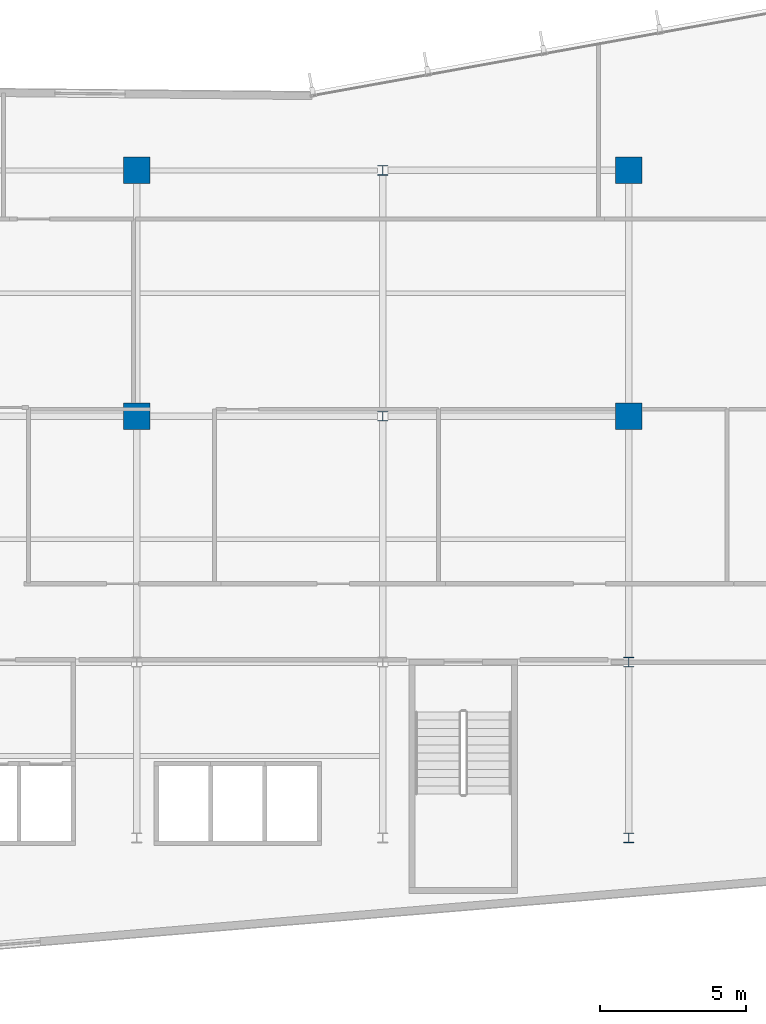
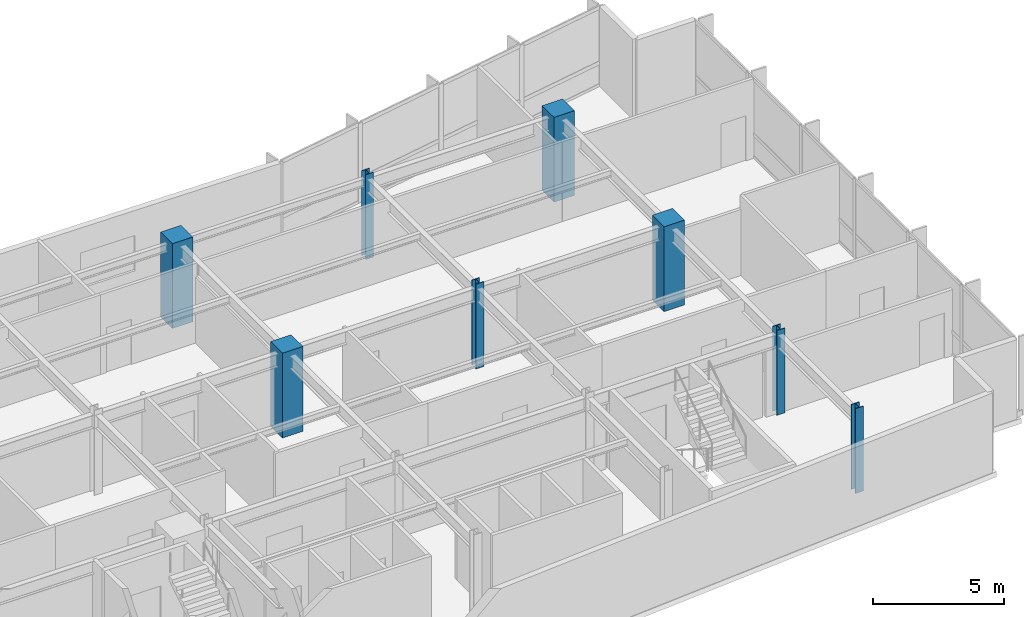
# One storey, part 2 of 20: 8 columns.
"""IFC4 building model written with IfcOpenShell, lengths in metres."""

from ifc_helpers import new_model, si_unit, direction, frame, origin, origin_2d, place, context, subcontext, project, spatial, rectangle, i_section, extrude, material, material_profile, profile_set, type_object, element, save


model = new_model("IFC4")

# Units and contexts
model_context = context("Model", 3, precision=1e-05, world=origin(), true_north=direction((0.0, 1.0)))
body_context = subcontext(model_context, "Body", "Model", "MODEL_VIEW")
ifc_project = project(units=[si_unit("LENGTHUNIT", "METRE"), si_unit("AREAUNIT", "SQUARE_METRE"), si_unit("VOLUMEUNIT", "CUBIC_METRE"), si_unit("PLANEANGLEUNIT", "RADIAN"), si_unit("MASSUNIT", "GRAM", prefix="KILO")], contexts=[model_context])

# Site, building, storey
site_placement = place(None, origin())
site = spatial("IfcSite", under=ifc_project, at=site_placement, CompositionType="ELEMENT")
building_placement = place(site_placement, origin())
building = spatial("IfcBuilding", under=site, at=building_placement, Name="Varnakote Quay Hospital", CompositionType="ELEMENT")
storey_placement = place(building_placement, frame((0.0, 0.0, 46.199951171875)))
storey = spatial("IfcBuildingStorey", under=building, at=storey_placement, Name="L11", CompositionType="ELEMENT", Elevation=46.199951171875)

# Columns
ifc_material_1 = material(Name="Concrete N50 (f'c 50 MPa)", Category="concrete")
ifc_material_profile_1 = material_profile(ifc_material_1, rectangle(XDim=0.89990234375, YDim=0.89990234375, at=origin_2d()), Name="RC-COL-900x900")
ifc_profile_set_1 = profile_set([ifc_material_profile_1], Name="Concrete N50 (f'c 50 MPa)")
column_type_1 = type_object("IfcColumnType", Name="COL-RC-900", PredefinedType="COLUMN", material=ifc_profile_set_1)
for number, where, z_axis, x_axis, name in (
    (1, (33.60009765625, 20.39990234375, 0.0), (0.0, 0.0, 1.0), (1.0, 0.0, 0.0), "L11 Structural Column C-34-20"),
    (2, (50.39990234375, 20.39990234375, 0.0), (0.0, 0.0, 1.0), (1.0, 0.0, 0.0), "L11 Structural Column C-50-20"),
    (3, (33.60009765625, 28.800048828125, 0.0), (0.0, 0.0, 1.0), (1.0, 0.0, 0.0), "L11 Structural Column C-34-29"),
    (4, (50.39990234375, 28.800048828125, 0.0), (0.0, 0.0, 1.0), (1.0, 0.0, 0.0), "L11 Structural Column C-50-29"),
):
    element("IfcColumn", number, at=place(storey_placement, frame(where, z_axis=z_axis, x_axis=x_axis)), inside=storey, type_object=column_type_1, Name=name, PredefinedType="COLUMN", context=body_context, shape_type="SweptSolid", body=[
        extrude(rectangle(XDim=0.89990234375, YDim=0.89990234375, at=origin_2d()), origin(), (0.0, 0.0, 1.0), 3.949951171875),
    ])
ifc_material_2 = material(Name="Structural steel AS/NZS 3678 Grade 350 (fy 340 MPa)", Category="steel")
ifc_material_profile_2 = material_profile(ifc_material_2, i_section(OverallWidth=0.35009765625, OverallDepth=0.340087890625, WebThickness=0.01611328125, FlangeThickness=0.028076171875, at=origin_2d()), Name="350WC197")
ifc_profile_set_2 = profile_set([ifc_material_profile_2], Name="Structural steel AS/NZS 3678 Grade 350 (fy 340 MPa)")
column_type_2 = type_object("IfcColumnType", Name="COL-STL-350WC197", PredefinedType="COLUMN", material=ifc_profile_set_2)
for number, where, z_axis, x_axis, name in (
    (5, (50.39990234375, 6.0, 0.0), (0.0, 0.0, 1.0), (1.0, 0.0, 0.0), "L11 Structural Column C-50-6"),
    (6, (50.39990234375, 12.0, 0.0), (0.0, 0.0, 1.0), (1.0, 0.0, 0.0), "L11 Structural Column C-50-12"),
    (7, (42.0, 20.39990234375, 0.0), (0.0, 0.0, 1.0), (1.0, 0.0, 0.0), "L11 Structural Column C-42-20"),
    (8, (42.0, 28.800048828125, 0.0), (0.0, 0.0, 1.0), (1.0, 0.0, 0.0), "L11 Structural Column C-42-29"),
):
    element("IfcColumn", number, at=place(storey_placement, frame(where, z_axis=z_axis, x_axis=x_axis)), inside=storey, type_object=column_type_2, Name=name, PredefinedType="COLUMN", context=body_context, shape_type="SweptSolid", body=[
        extrude(i_section(OverallWidth=0.35009765625, OverallDepth=0.340087890625, WebThickness=0.01611328125, FlangeThickness=0.028076171875, at=origin_2d()), origin(), (0.0, 0.0, 1.0), 3.949951171875),
    ])

save(model, "model.ifc")
